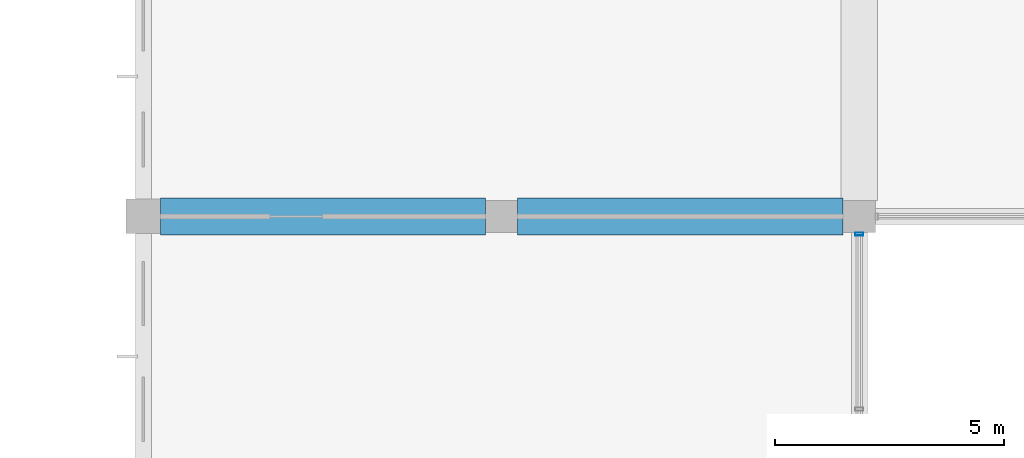
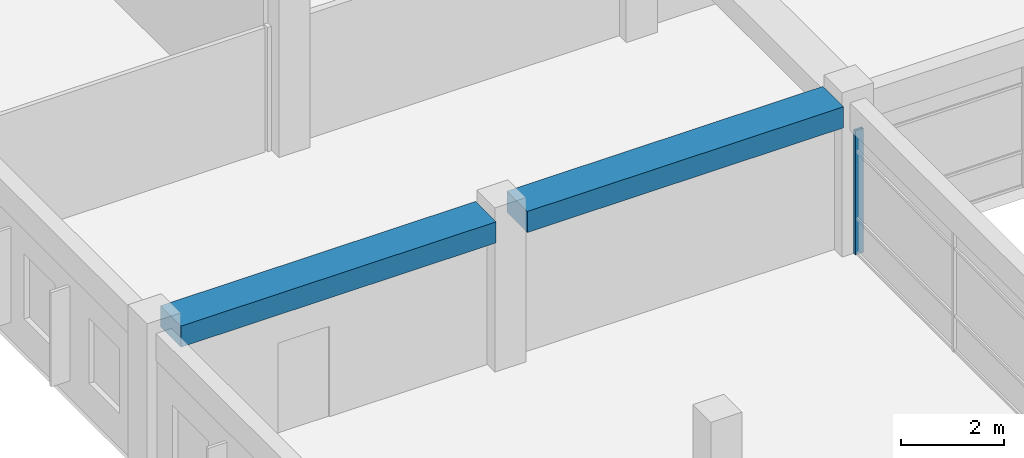
# One storey, part 23 of 72: 2 beams, 1 member, 1 element without a shape of its own.
"""IFC4 building model written with IfcOpenShell, lengths in metres."""

import ifcopenshell
import ifcopenshell.guid

model = None  # the IFC model being written
_history = None  # IfcOwnerHistory: only IFC2X3 demands one
_inside = {}  # id of a spatial element -> (the spatial element, [elements in it])
_under = {}  # id of a project, library or spatial element -> (it, [spatial elements below it])
_declared = {}  # id of a project -> (the project, [libraries it declares])
_typed = {}  # id of a type object -> (the type object, [elements of that type])
_made_of = {}  # id of a material, layer set ... -> (it, [elements and type objects made of it])


def new_model(schema):
    """Start an empty IFC model of exactly this schema.

    Asked for "IFC4X3", IfcOpenShell would pick the latest addendum, in which some entities
    have other attributes; the version numbers below select the first issue.
    IFC2X3 requires an IfcOwnerHistory on every rooted entity: one is made here for all.
    """
    global model, _history
    if schema == "IFC4X3":
        model = ifcopenshell.file(schema_version=(4, 3, 0, 0))
    else:
        model = ifcopenshell.file(schema=schema)
    _inside.clear()
    _under.clear()
    _declared.clear()
    _typed.clear()
    _made_of.clear()
    _history = None
    if model.schema == "IFC2X3":
        org = make("IfcOrganization", Name="unknown")
        user = make(
            "IfcPersonAndOrganization",
            ThePerson=make("IfcPerson", FamilyName="unknown"),
            TheOrganization=org,
        )
        app = make(
            "IfcApplication",
            ApplicationDeveloper=org,
            Version="unknown",
            ApplicationFullName="unknown",
            ApplicationIdentifier="unknown",
        )
        _history = make(
            "IfcOwnerHistory",
            OwningUser=user,
            OwningApplication=app,
            ChangeAction="ADDED",
            CreationDate=0,
        )
    return model


def make(cls, **values):
    """One entity of the class cls with the attributes given. An attribute that is None is left unset."""
    return model.create_entity(
        cls, **{name: value for name, value in values.items() if value is not None}
    )


def rooted(cls, **values):
    """An entity with a GlobalId (a new one), such as an element, a storey or a relation."""
    return make(cls, GlobalId=ifcopenshell.guid.new(), OwnerHistory=_history, **values)


def si_unit(unit_type, name, prefix=None):
    """IfcSIUnit, for example si_unit("LENGTHUNIT", "METRE", prefix="MILLI")."""
    return make("IfcSIUnit", UnitType=unit_type, Prefix=prefix, Name=name)


def assignment(units):
    """IfcUnitAssignment: the units of a project."""
    return None if units is None else make("IfcUnitAssignment", Units=units)


def point(xyz):
    """IfcCartesianPoint."""
    return None if xyz is None else make("IfcCartesianPoint", Coordinates=xyz)


def direction(xyz):
    """IfcDirection."""
    return None if xyz is None else make("IfcDirection", DirectionRatios=xyz)


def frame(location, z_axis=None, x_axis=None):
    """IfcAxis2Placement3D, a coordinate frame: its origin and axes. An axis left out is left unset."""
    return make(
        "IfcAxis2Placement3D",
        Location=point(location),
        Axis=direction(z_axis),
        RefDirection=direction(x_axis),
    )


def frame_2d(location, x_axis=None):
    """IfcAxis2Placement2D, a coordinate frame in the plane: its origin and x axis."""
    return make(
        "IfcAxis2Placement2D", Location=point(location), RefDirection=direction(x_axis)
    )


def origin():
    """The frame at (0, 0, 0) with its axes left unset."""
    return frame((0.0, 0.0, 0.0))


def origin_2d():
    """The frame at (0, 0) in the plane with its x axis left unset."""
    return frame_2d((0.0, 0.0))


def place(relative_to, where):
    """IfcLocalPlacement: puts the frame where relative to a parent placement (None: the world)."""
    return make(
        "IfcLocalPlacement", PlacementRelTo=relative_to, RelativePlacement=where
    )


def context(
    kind, dimensions, precision=None, world=None, true_north=None, identifier=None
):
    """IfcGeometricRepresentationContext, for example the 3D "Model" context."""
    return make(
        "IfcGeometricRepresentationContext",
        ContextIdentifier=identifier,
        ContextType=kind,
        CoordinateSpaceDimension=dimensions,
        Precision=precision,
        WorldCoordinateSystem=world,
        TrueNorth=true_north,
    )


def subcontext(parent, identifier, kind, view, scale=None):
    """IfcGeometricRepresentationSubContext, for example "Body" below "Model"."""
    return make(
        "IfcGeometricRepresentationSubContext",
        ContextIdentifier=identifier,
        ContextType=kind,
        ParentContext=parent,
        TargetScale=scale,
        TargetView=view,
    )


def project(units=None, contexts=None):
    """IfcProject with its units and contexts."""
    return rooted(
        "IfcProject",
        Name="project",
        RepresentationContexts=contexts,
        UnitsInContext=assignment(units),
    )


def spatial(cls, under=None, at=None, **own):
    """A site, building, storey or space (cls), placed at a placement, below another one or the project."""
    s = rooted(cls, ObjectPlacement=at, **own)
    if under is not None:
        _under.setdefault(under.id(), (under, []))[1].append(s)
    return s


def profile(cls, at=None, kind="AREA", **sizes):
    """A parametric profile (cls). Its sizes go by their IFC names, for example OverallWidth=200.0."""
    return make(cls, ProfileType=kind, Position=at, **sizes)


def rectangle(**sizes):
    """IfcRectangleProfileDef."""
    return profile("IfcRectangleProfileDef", **sizes)


def hollow_rectangle(**sizes):
    """IfcRectangleHollowProfileDef."""
    return profile("IfcRectangleHollowProfileDef", **sizes)


def extrude(swept, where, along, depth):
    """IfcExtrudedAreaSolid: the profile swept, set in the frame where, extruded along a direction by depth."""
    return make(
        "IfcExtrudedAreaSolid",
        SweptArea=swept,
        Position=where,
        ExtrudedDirection=direction(along),
        Depth=depth,
    )


def shape(context_of_items, identifier, shape_type, items):
    """IfcShapeRepresentation: the items that make up one representation, for example the "Body"."""
    return make(
        "IfcShapeRepresentation",
        ContextOfItems=context_of_items,
        RepresentationIdentifier=identifier,
        RepresentationType=shape_type,
        Items=items,
    )


def material(Name=None, Category=None):
    """IfcMaterial."""
    return make("IfcMaterial", Name=Name, Category=Category)


def material_profile(
    of_material, cross_section, Name=None, Category=None, Priority=None
):
    """IfcMaterialProfile: a cross section and its material."""
    return make(
        "IfcMaterialProfile",
        Name=Name,
        Material=of_material,
        Profile=cross_section,
        Priority=Priority,
        Category=Category,
    )


def profile_set(profiles, Name=None, composite=None):
    """IfcMaterialProfileSet."""
    return make(
        "IfcMaterialProfileSet",
        Name=Name,
        MaterialProfiles=profiles,
        CompositeProfile=composite,
    )


def made_of(thing, what):
    """Note that an element or type object is made of a material, layer set ...; save() writes the relation."""
    if what is not None:
        _made_of.setdefault(what.id(), (what, []))[1].append(thing)
    return thing


def type_object(cls, material=None, **own):
    """A type object (cls), such as IfcWallType, which elements share."""
    return made_of(rooted(cls, **own), material)


def element(
    cls,
    number,
    at=None,
    inside=None,
    cuts=None,
    type_object=None,
    material=None,
    context=None,
    identifier="Body",
    shape_type=None,
    held_by="IfcProductDefinitionShape",
    body=None,
    shapes=None,
    **own,
):
    """One element of the class cls, such as IfcWall. Its Tag is "e" and its number.

    at: its placement. inside: the storey or other place that contains it. cuts: it is an
    opening in that element (IfcRelVoidsElement). A single representation is given by context,
    identifier, shape_type and body (its items); several are given by shapes. held_by: the class
    of the entity that holds the representations. save() writes the other relations.
    """
    e = rooted(cls, Tag="e%d" % number, ObjectPlacement=at, **own)
    if body is not None:
        shapes = [shape(context, identifier, shape_type, body)]
    if shapes is not None:
        e.Representation = make(held_by, Representations=shapes)
    if inside is not None:
        _inside.setdefault(inside.id(), (inside, []))[1].append(e)
    if cuts is not None:
        rooted(
            "IfcRelVoidsElement", RelatingBuildingElement=cuts, RelatedOpeningElement=e
        )
    if type_object is not None:
        _typed.setdefault(type_object.id(), (type_object, []))[1].append(e)
    return made_of(e, material)


def aggregate(whole, parts):
    """IfcRelAggregates: a whole, such as a stair, and the parts it consists of."""
    return rooted("IfcRelAggregates", RelatingObject=whole, RelatedObjects=parts)


def save(model, path):
    """Write the relations noted so far, then the file.

    IfcRelAggregates (storeys below a building ...), IfcRelContainedInSpatialStructure (elements
    in a storey), IfcRelDefinesByType, IfcRelAssociatesMaterial and IfcRelDeclares: one each for
    every whole, place, type object, material and project.
    """
    for whole, parts in _under.values():
        aggregate(whole, parts)
    for where, things in _inside.values():
        rooted(
            "IfcRelContainedInSpatialStructure",
            RelatedElements=things,
            RelatingStructure=where,
        )
    for kind, things in _typed.values():
        rooted("IfcRelDefinesByType", RelatedObjects=things, RelatingType=kind)
    for what, things in _made_of.values():
        rooted("IfcRelAssociatesMaterial", RelatedObjects=things, RelatingMaterial=what)
    for by, libraries in _declared.values():
        rooted("IfcRelDeclares", RelatingContext=by, RelatedDefinitions=libraries)
    model.write(path)


model = new_model("IFC4")

# Units and contexts
model_context = context("Model", 3, precision=1e-05, world=origin(), true_north=direction((0.0, 1.0)))
body_context = subcontext(model_context, "Body", "Model", "MODEL_VIEW")
ifc_project = project(units=[si_unit("LENGTHUNIT", "METRE"), si_unit("AREAUNIT", "SQUARE_METRE"), si_unit("VOLUMEUNIT", "CUBIC_METRE"), si_unit("PLANEANGLEUNIT", "RADIAN"), si_unit("MASSUNIT", "GRAM", prefix="KILO"), si_unit("THERMODYNAMICTEMPERATUREUNIT", "KELVIN"), si_unit("POWERUNIT", "WATT")], contexts=[model_context])

# Site, building, storey
site_placement = place(None, origin())
site = spatial("IfcSite", under=ifc_project, at=site_placement, CompositionType="ELEMENT")
building_placement = place(site_placement, origin())
building = spatial("IfcBuilding", under=site, at=building_placement, Name="Srebrne Nadtorze General Hospital", CompositionType="ELEMENT")
storey_placement = place(building_placement, frame((0.0, 0.0, 22.199951171875)))
storey = spatial("IfcBuildingStorey", under=building, at=storey_placement, Name="L05", CompositionType="ELEMENT", Elevation=22.199951171875)

# Curtain wall, member
ifc_material_1 = material(Name="Anodised Aluminium", Category="aluminium")
curtain_wall_type = type_object("IfcCurtainWallType", Name="Unitised curtain wall 7700x2950", PredefinedType="NOTDEFINED", material=ifc_material_1)
curtain_wall_placement = place(storey_placement, origin())
curtain_wall = element("IfcCurtainWall", 1, at=curtain_wall_placement, inside=storey, type_object=curtain_wall_type, Name="Curtain wall CW-135", PredefinedType="NOTDEFINED")
ifc_material_2 = material(Name="Anodised Aluminium", Category="aluminium")
ifc_material_profile_1 = material_profile(ifc_material_2, hollow_rectangle(XDim=0.06494140625, YDim=0.179931640625, WallThickness=0.00390625, at=origin_2d()), Name="AL-MUL-65x180")
ifc_profile_set_1 = profile_set([ifc_material_profile_1], Name="Anodised Aluminium")
member_type = type_object("IfcMemberType", Name="Curtain mullion 65x180", PredefinedType="MULLION", material=ifc_profile_set_1)
member_placement = place(storey_placement, frame((117.0, 24.8173828125, 0.0), z_axis=(0.0, 0.0, 1.0), x_axis=(0.0, 1.0, 0.0)))
member = element("IfcMember", 2, at=member_placement, type_object=member_type, Name="CW-135 mullion 3", PredefinedType="MULLION", context=body_context, shape_type="SweptSolid", body=[
    extrude(hollow_rectangle(XDim=0.06494140625, YDim=0.179931640625, WallThickness=0.00390625, at=origin_2d()), origin(), (0.0, 0.0, 1.0), 2.949951171875),
])
aggregate(curtain_wall, [member])

# Beams
ifc_material_3 = material(Name="Concrete C40/50", Category="concrete")
ifc_material_profile_2 = material_profile(ifc_material_3, rectangle(XDim=0.800048828125, YDim=0.5, at=origin_2d()), Name="RC-BM-800x500")
ifc_profile_set_2 = profile_set([ifc_material_profile_2], Name="Concrete C40/50")
beam_type = type_object("IfcBeamType", Name="Primary beam RC 800x500", PredefinedType="BEAM", material=ifc_profile_set_2)
beam_1_placement = place(storey_placement, frame((101.77490234375, 25.199951171875, 3.35009765625), z_axis=(1.0, 0.0, 0.0), x_axis=(0.0, 1.0, 0.0)))
element("IfcBeam", 3, at=beam_1_placement, inside=storey, type_object=beam_type, Name="Beam BM-L05-X-1012", PredefinedType="BEAM", context=body_context, shape_type="SweptSolid", body=[
    extrude(rectangle(XDim=0.800048828125, YDim=0.5, at=origin_2d()), origin(), (0.0, 0.0, 1.0), 7.0751953125),
])
beam_2_placement = place(storey_placement, frame((109.550048828125, 25.199951171875, 3.35009765625), z_axis=(1.0, 0.0, 0.0), x_axis=(0.0, 1.0, 0.0)))
element("IfcBeam", 4, at=beam_2_placement, inside=storey, type_object=beam_type, Name="Beam BM-L05-X-1013", PredefinedType="BEAM", context=body_context, shape_type="SweptSolid", body=[
    extrude(rectangle(XDim=0.800048828125, YDim=0.5, at=origin_2d()), origin(), (0.0, 0.0, 1.0), 7.099853515625),
])

save(model, "model.ifc")
